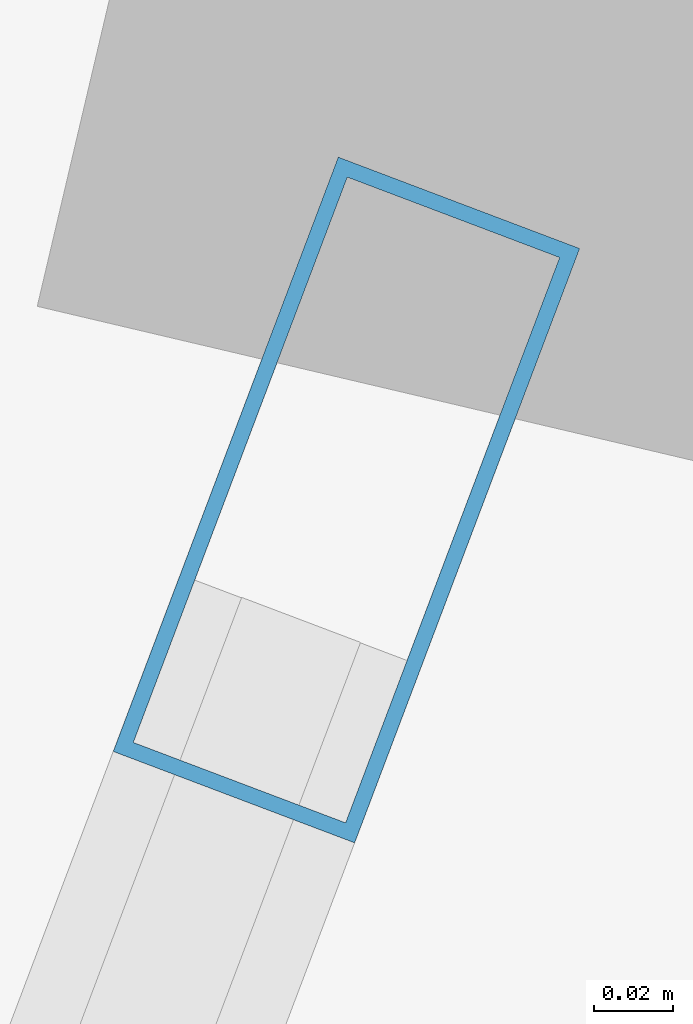
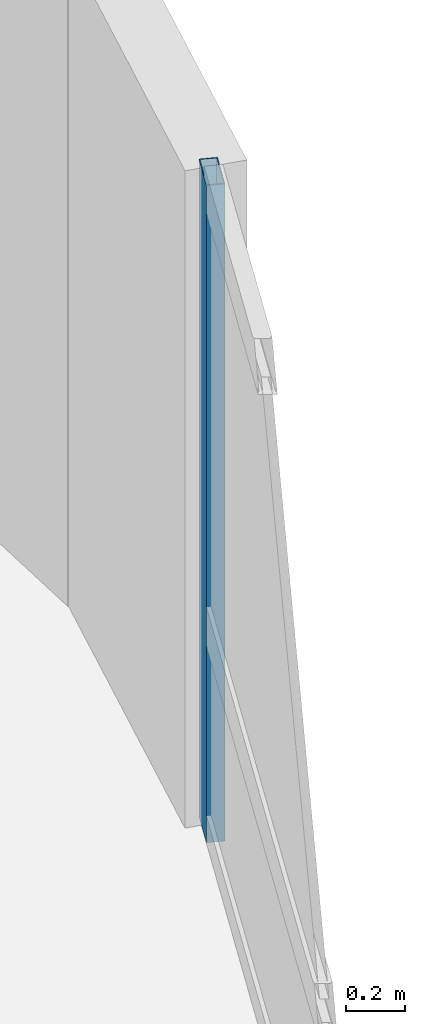
# One storey, part 15 of 25: 1 member, 1 element without a shape of its own.
"""IFC4 building model written with IfcOpenShell, lengths in metres."""

from ifc_helpers import new_model, si_unit, direction, frame, origin, origin_2d, place, context, subcontext, project, spatial, hollow_rectangle, extrude, material, layer, layer_set, material_profile, profile_set, type_object, element, aggregate, save


model = new_model("IFC4")

# Units and contexts
model_context = context("Model", 3, precision=1e-05, world=origin(), true_north=direction((0.0, 1.0)))
body_context = subcontext(model_context, "Body", "Model", "MODEL_VIEW")
ifc_project = project(units=[si_unit("LENGTHUNIT", "METRE"), si_unit("AREAUNIT", "SQUARE_METRE"), si_unit("VOLUMEUNIT", "CUBIC_METRE"), si_unit("PLANEANGLEUNIT", "RADIAN"), si_unit("MASSUNIT", "GRAM", prefix="KILO")], contexts=[model_context])

# Site, building, storey
site_placement = place(None, origin())
site = spatial("IfcSite", under=ifc_project, at=site_placement, CompositionType="ELEMENT")
building_placement = place(site_placement, origin())
building = spatial("IfcBuilding", under=site, at=building_placement, Name="Varnelok Gate Tower", CompositionType="ELEMENT")
storey_placement = place(building_placement, frame((0.0, 0.0, 79.89990234375)))
storey = spatial("IfcBuildingStorey", under=building, at=storey_placement, Name="L19", CompositionType="ELEMENT", Elevation=79.89990234375)

# Curtain wall, member
ifc_material = material(Name="Anodized Aluminum Alloy 6063-T6", Category="aluminium")
ifc_layer = layer(ifc_material, 0.179931640625)
ifc_layer_set = layer_set([ifc_layer], Name="Anodized Aluminum Alloy 6063-T6")
curtain_wall_type = type_object("IfcCurtainWallType", Name="CW3-HOTEL-VISION", PredefinedType="USERDEFINED", material=ifc_layer_set)
curtain_wall_placement = place(storey_placement, origin())
curtain_wall = element("IfcCurtainWall", 1, at=curtain_wall_placement, inside=storey, type_object=curtain_wall_type, Name="L19 East End Vision Curtain Wall", ObjectType="UNITISED CURTAIN WALL", PredefinedType="USERDEFINED")
ifc_material_profile = material_profile(ifc_material, hollow_rectangle(XDim=0.06494140625, YDim=0.159912109375, WallThickness=0.00390625, at=origin_2d()), Name="ALU160X65X4")
ifc_profile_set = profile_set([ifc_material_profile], Name="Anodized Aluminum Alloy 6063-T6")
member_type = type_object("IfcMemberType", Name="CW-MULL-160", PredefinedType="MULLION", material=ifc_profile_set)
member_placement = place(storey_placement, frame((80.443359375, 29.004638671875, 0.0), z_axis=(0.0, 0.0, 1.0), x_axis=(0.935221323688, -0.354063660545, 0.0)))
member = element("IfcMember", 2, at=member_placement, type_object=member_type, Name="CW3 mullion 1", PredefinedType="MULLION", context=body_context, shape_type="SweptSolid", body=[
    extrude(hollow_rectangle(XDim=0.06494140625, YDim=0.159912109375, WallThickness=0.00390625, at=origin_2d()), origin(), (0.0, 0.0, 1.0), 2.72998046875),
])
aggregate(curtain_wall, [member])

save(model, "model.ifc")
